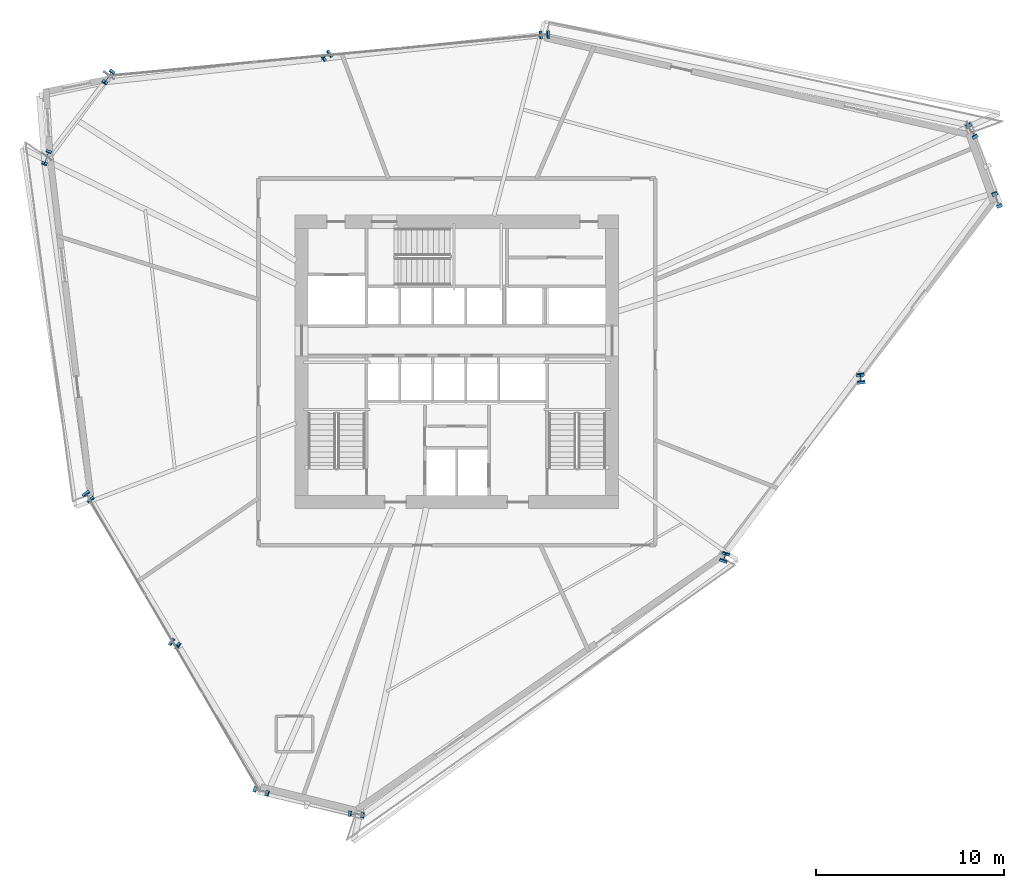
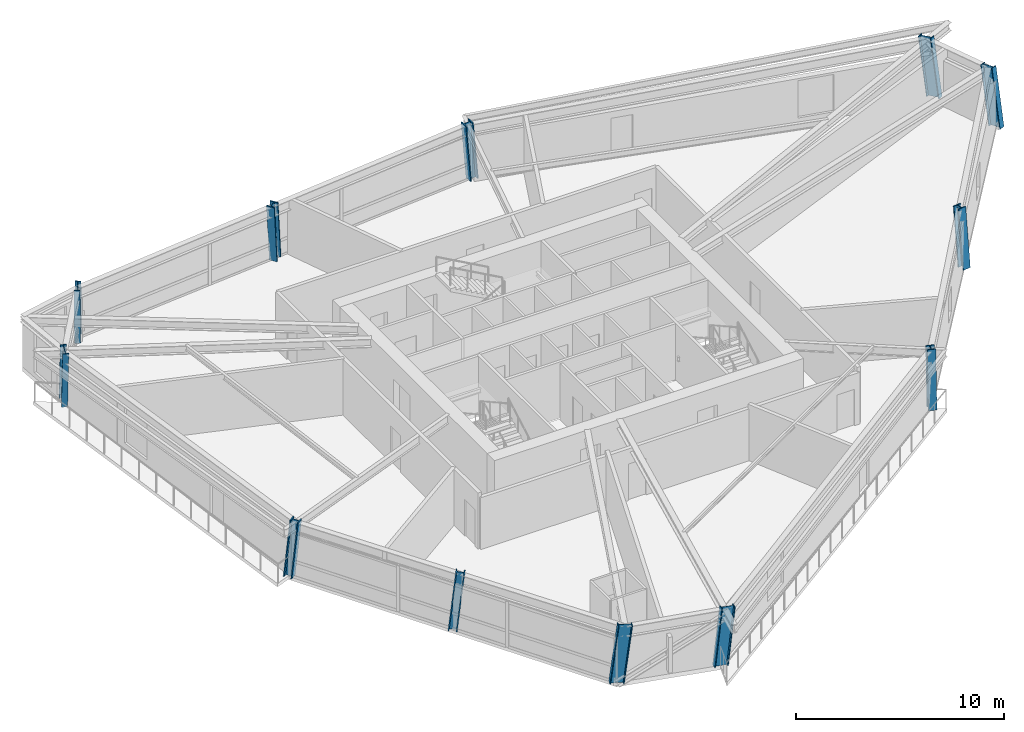
# One storey, part 1 of 17: 12 columns.
"""IFC4 building model written with IfcOpenShell, lengths in metres."""

from ifc_helpers import new_model, si_unit, direction, frame, origin, origin_2d, place, context, subcontext, project, spatial, i_section, extrude, source, transform, mapped, material, material_profile, profile_set, type_object, element, save


model = new_model("IFC4")

# Units and contexts
model_context = context("Model", 3, precision=1e-05, world=origin(), true_north=direction((0.0, 1.0)))
body_context = subcontext(model_context, "Body", "Model", "MODEL_VIEW")
ifc_project = project(units=[si_unit("LENGTHUNIT", "METRE"), si_unit("AREAUNIT", "SQUARE_METRE"), si_unit("VOLUMEUNIT", "CUBIC_METRE"), si_unit("PLANEANGLEUNIT", "RADIAN"), si_unit("MASSUNIT", "GRAM", prefix="KILO")], contexts=[model_context])

# Site, building, storey
site_placement = place(None, origin())
site = spatial("IfcSite", under=ifc_project, at=site_placement, CompositionType="ELEMENT")
building_placement = place(site_placement, origin())
building = spatial("IfcBuilding", under=site, at=building_placement, Name="Olszyna Solenne Hotel", CompositionType="ELEMENT")
storey_placement = place(building_placement, frame((0.0, 0.0, 116.35009765625)))
storey = spatial("IfcBuildingStorey", under=building, at=storey_placement, Name="L30", CompositionType="ELEMENT", Elevation=116.35009765625)

# Columns
ifc_material = material(Name="Steel S460M", Category="steel")
ifc_material_profile_1 = material_profile(ifc_material, i_section(OverallWidth=0.41796875, OverallDepth=0.455078125, WebThickness=0.03759765625, FlangeThickness=0.05908203125, at=origin_2d()), Name="HD 400x551", Category="load-bearing")
ifc_profile_set_1 = profile_set([ifc_material_profile_1], Name="Steel S460M")
column_type_1 = type_object("IfcColumnType", Name="COL-T2", PredefinedType="COLUMN", material=ifc_profile_set_1)
shared_shape_1 = source(origin(), body_context, "Body", "SweptSolid", [
    extrude(i_section(OverallWidth=0.41796875, OverallDepth=0.455078125, WebThickness=0.03759765625, FlangeThickness=0.05908203125, at=origin_2d()), origin(), (0.0, 0.0, 1.0), 3.39892578125),
])
column_1_placement = place(storey_placement, frame((31.109619140625, 42.89404296875, 0.0), z_axis=(-0.075203984266, -0.050351473707, 0.995896124024), x_axis=(0.556347454187, -0.830949763957, 0.0)))
element("IfcColumn", 1, at=column_1_placement, inside=storey, type_object=column_type_1, Name="Perimeter framed-tube column COL-T2 C-L30-04", PredefinedType="COLUMN", context=body_context, shape_type="MappedRepresentation", body=[
    mapped(shared_shape_1, transform((0.0, 0.0, 0.0), x_axis=(1.0, 0.0, 0.0), y_axis=(0.0, 1.0, 0.0), z_axis=(0.0, 0.0, 1.0), scale=1.0)),
])
shared_shape_2 = source(origin(), body_context, "Body", "SweptSolid", [
    extrude(i_section(OverallWidth=0.41796875, OverallDepth=0.455078125, WebThickness=0.03759765625, FlangeThickness=0.05908203125, at=origin_2d()), origin(), (0.0, 0.0, 1.0), 3.405029296875),
])
column_2_placement = place(storey_placement, frame((59.477294921875, 25.6494140625, 0.0), z_axis=(-0.013049416701, 0.107478437555, 0.994121772312), x_axis=(-0.992709789554, -0.12052914056, 0.0)))
element("IfcColumn", 2, at=column_2_placement, inside=storey, type_object=column_type_1, Name="Perimeter framed-tube column COL-T2 C-L30-12", PredefinedType="COLUMN", context=body_context, shape_type="MappedRepresentation", body=[
    mapped(shared_shape_2, transform((0.0, 0.0, 0.0), x_axis=(1.0, 0.0, 0.0), y_axis=(0.0, 1.0, 0.0), z_axis=(0.0, 0.0, 1.0), scale=1.0)),
])
shared_shape_3 = source(origin(), body_context, "Body", "SweptSolid", [
    extrude(i_section(OverallWidth=0.41796875, OverallDepth=0.455078125, WebThickness=0.03759765625, FlangeThickness=0.05908203125, at=origin_2d()), origin(), (0.0, 0.0, 1.0), 3.404541015625),
])
column_3_placement = place(storey_placement, frame((22.951416015625, 11.64306640625, 0.0), z_axis=(0.088133169485, -0.060380902121, 0.994276969006), x_axis=(0.565189144003, 0.82496135152, 0.0)))
element("IfcColumn", 3, at=column_3_placement, inside=storey, type_object=column_type_1, Name="Perimeter framed-tube column COL-T2 C-L30-08", PredefinedType="COLUMN", context=body_context, shape_type="MappedRepresentation", body=[
    mapped(shared_shape_3, transform((0.0, 0.0, 0.0), x_axis=(1.0, 0.0, 0.0), y_axis=(0.0, 1.0, 0.0), z_axis=(0.0, 0.0, 1.0), scale=1.0)),
])
ifc_material_profile_2 = material_profile(ifc_material, i_section(OverallWidth=0.303955078125, OverallDepth=0.716064453125, WebThickness=0.02099609375, FlangeThickness=0.0400390625, at=origin_2d()), Name="HEM 700", Category="load-bearing")
ifc_profile_set_2 = profile_set([ifc_material_profile_2], Name="Steel S460M")
column_type_2 = type_object("IfcColumnType", Name="COL-K2", PredefinedType="COLUMN", material=ifc_profile_set_2)
shared_shape_4 = source(origin(), body_context, "Body", "SweptSolid", [
    extrude(i_section(OverallWidth=0.303955078125, OverallDepth=0.716064453125, WebThickness=0.02099609375, FlangeThickness=0.0400390625, at=origin_2d()), origin(), (0.0, 0.0, 1.0), 3.420166015625),
])
column_4_placement = place(storey_placement, frame((66.7421875, 35.12939453125, 0.0), z_axis=(-0.054251204611, 0.132273002822, 0.989727568335), x_axis=(-0.925204579621, -0.37946868889, 0.0)))
element("IfcColumn", 4, at=column_4_placement, inside=storey, type_object=column_type_2, Name="Perimeter framed-tube column COL-K2 C-L30-01", PredefinedType="COLUMN", context=body_context, shape_type="MappedRepresentation", body=[
    mapped(shared_shape_4, transform((0.0, 0.0, 0.0), x_axis=(1.0, 0.0, 0.0), y_axis=(0.0, 1.0, 0.0), z_axis=(0.0, 0.0, 1.0), scale=1.0)),
])
shared_shape_5 = source(origin(), body_context, "Body", "SweptSolid", [
    extrude(i_section(OverallWidth=0.303955078125, OverallDepth=0.716064453125, WebThickness=0.02099609375, FlangeThickness=0.0400390625, at=origin_2d()), origin(), (0.0, 0.0, 1.0), 3.415771484375),
])
column_5_placement = place(storey_placement, frame((65.41015625, 38.798828125, 0.0), z_axis=(-0.067116324205, 0.115648788672, 0.991020058679), x_axis=(-0.86490124279, -0.501942068591, 0.0)))
element("IfcColumn", 5, at=column_5_placement, inside=storey, type_object=column_type_2, Name="Perimeter framed-tube column COL-K2 C-L30-02", PredefinedType="COLUMN", context=body_context, shape_type="MappedRepresentation", body=[
    mapped(shared_shape_5, transform((0.0, 0.0, 0.0), x_axis=(1.0, 0.0, 0.0), y_axis=(0.0, 1.0, 0.0), z_axis=(0.0, 0.0, 1.0), scale=1.0)),
])
shared_shape_6 = source(origin(), body_context, "Body", "SweptSolid", [
    extrude(i_section(OverallWidth=0.41796875, OverallDepth=0.455078125, WebThickness=0.03759765625, FlangeThickness=0.05908203125, at=origin_2d()), origin(), (0.0, 0.0, 1.0), 3.397216796875),
])
column_6_placement = place(storey_placement, frame((42.703857421875, 43.98388671875, 0.0), z_axis=(-0.084442368201, -0.004096353181, 0.996419944774), x_axis=(0.048453659237, -0.998825431648, 0.0)))
element("IfcColumn", 6, at=column_6_placement, inside=storey, type_object=column_type_1, Name="Perimeter framed-tube column COL-T2 C-L30-03", PredefinedType="COLUMN", context=body_context, shape_type="MappedRepresentation", body=[
    mapped(shared_shape_6, transform((0.0, 0.0, 0.0), x_axis=(1.0, 0.0, 0.0), y_axis=(0.0, 1.0, 0.0), z_axis=(0.0, 0.0, 1.0), scale=1.0)),
])
shared_shape_7 = source(origin(), body_context, "Body", "SweptSolid", [
    extrude(i_section(OverallWidth=0.303955078125, OverallDepth=0.716064453125, WebThickness=0.02099609375, FlangeThickness=0.0400390625, at=origin_2d()), origin(), (0.0, 0.0, 1.0), 3.404052734375),
])
column_7_placement = place(storey_placement, frame((16.21435546875, 37.517578125, 0.0), z_axis=(-0.03650577529, -0.099117841751, 0.994405843616), x_axis=(0.938377890114, -0.345610959528, 0.0)))
element("IfcColumn", 7, at=column_7_placement, inside=storey, type_object=column_type_2, Name="Perimeter framed-tube column COL-K2 C-L30-06", PredefinedType="COLUMN", context=body_context, shape_type="MappedRepresentation", body=[
    mapped(shared_shape_7, transform((0.0, 0.0, 0.0), x_axis=(1.0, 0.0, 0.0), y_axis=(0.0, 1.0, 0.0), z_axis=(0.0, 0.0, 1.0), scale=1.0)),
])
shared_shape_8 = source(origin(), body_context, "Body", "SweptSolid", [
    extrude(i_section(OverallWidth=0.303955078125, OverallDepth=0.716064453125, WebThickness=0.02099609375, FlangeThickness=0.0400390625, at=origin_2d()), origin(), (0.0, 0.0, 1.0), 3.405029296875),
])
column_8_placement = place(storey_placement, frame((32.58837890625, 2.549072265625, 0.0), z_axis=(0.107549004209, -0.013264377186, 0.994111295576), x_axis=(0.122405882176, 0.99248012575, 0.0)))
element("IfcColumn", 8, at=column_8_placement, inside=storey, type_object=column_type_2, Name="Perimeter framed-tube column COL-K2 C-L30-10", PredefinedType="COLUMN", context=body_context, shape_type="MappedRepresentation", body=[
    mapped(shared_shape_8, transform((0.0, 0.0, 0.0), x_axis=(1.0, 0.0, 0.0), y_axis=(0.0, 1.0, 0.0), z_axis=(0.0, 0.0, 1.0), scale=1.0)),
])
shared_shape_9 = source(origin(), body_context, "Body", "SweptSolid", [
    extrude(i_section(OverallWidth=0.41796875, OverallDepth=0.455078125, WebThickness=0.03759765625, FlangeThickness=0.05908203125, at=origin_2d()), origin(), (0.0, 0.0, 1.0), 3.39794921875),
])
column_9_placement = place(storey_placement, frame((52.21240234375, 16.169189453125, 0.0), z_axis=(0.02845253768, 0.08233991965, 0.996198068022), x_axis=(-0.945162434362, 0.326600631769, 0.0)))
element("IfcColumn", 9, at=column_9_placement, inside=storey, type_object=column_type_1, Name="Perimeter framed-tube column COL-T2 C-L30-11", PredefinedType="COLUMN", context=body_context, shape_type="MappedRepresentation", body=[
    mapped(shared_shape_9, transform((0.0, 0.0, 0.0), x_axis=(1.0, 0.0, 0.0), y_axis=(0.0, 1.0, 0.0), z_axis=(0.0, 0.0, 1.0), scale=1.0)),
])
shared_shape_10 = source(origin(), body_context, "Body", "SweptSolid", [
    extrude(i_section(OverallWidth=0.303955078125, OverallDepth=0.716064453125, WebThickness=0.02099609375, FlangeThickness=0.0400390625, at=origin_2d()), origin(), (0.0, 0.0, 1.0), 3.408203125),
])
column_10_placement = place(storey_placement, frame((19.515380859375, 41.80419921875, 0.0), z_axis=(-0.065686123585, -0.096416054903, 0.99317132335), x_axis=(0.826435126374, -0.563031954595, 0.0)))
element("IfcColumn", 10, at=column_10_placement, inside=storey, type_object=column_type_2, Name="Perimeter framed-tube column COL-K2 C-L30-05", PredefinedType="COLUMN", context=body_context, shape_type="MappedRepresentation", body=[
    mapped(shared_shape_10, transform((0.0, 0.0, 0.0), x_axis=(1.0, 0.0, 0.0), y_axis=(0.0, 1.0, 0.0), z_axis=(0.0, 0.0, 1.0), scale=1.0)),
])
shared_shape_11 = source(origin(), body_context, "Body", "SweptSolid", [
    extrude(i_section(OverallWidth=0.41796875, OverallDepth=0.455078125, WebThickness=0.03759765625, FlangeThickness=0.05908203125, at=origin_2d()), origin(), (0.0, 0.0, 1.0), 3.402099609375),
])
column_11_placement = place(storey_placement, frame((18.37353515625, 19.485107421875, 0.0), z_axis=(0.059560945923, -0.080730197787, 0.994954837611), x_axis=(0.804696120474, 0.593686915549, 0.0)))
element("IfcColumn", 11, at=column_11_placement, inside=storey, type_object=column_type_1, Name="Perimeter framed-tube column COL-T2 C-L30-07", PredefinedType="COLUMN", context=body_context, shape_type="MappedRepresentation", body=[
    mapped(shared_shape_11, transform((0.0, 0.0, 0.0), x_axis=(1.0, 0.0, 0.0), y_axis=(0.0, 1.0, 0.0), z_axis=(0.0, 0.0, 1.0), scale=1.0)),
])
shared_shape_12 = source(origin(), body_context, "Body", "SweptSolid", [
    extrude(i_section(OverallWidth=0.303955078125, OverallDepth=0.716064453125, WebThickness=0.02099609375, FlangeThickness=0.0400390625, at=origin_2d()), origin(), (0.0, 0.0, 1.0), 3.410888671875),
])
column_12_placement = place(storey_placement, frame((27.529541015625, 3.80078125, 0.0), z_axis=(0.116382892028, -0.039867940258, 0.992403934788), x_axis=(0.324071441703, 0.946032610787, 0.0)))
element("IfcColumn", 12, at=column_12_placement, inside=storey, type_object=column_type_2, Name="Perimeter framed-tube column COL-K2 C-L30-09", PredefinedType="COLUMN", context=body_context, shape_type="MappedRepresentation", body=[
    mapped(shared_shape_12, transform((0.0, 0.0, 0.0), x_axis=(1.0, 0.0, 0.0), y_axis=(0.0, 1.0, 0.0), z_axis=(0.0, 0.0, 1.0), scale=1.0)),
])

save(model, "model.ifc")
